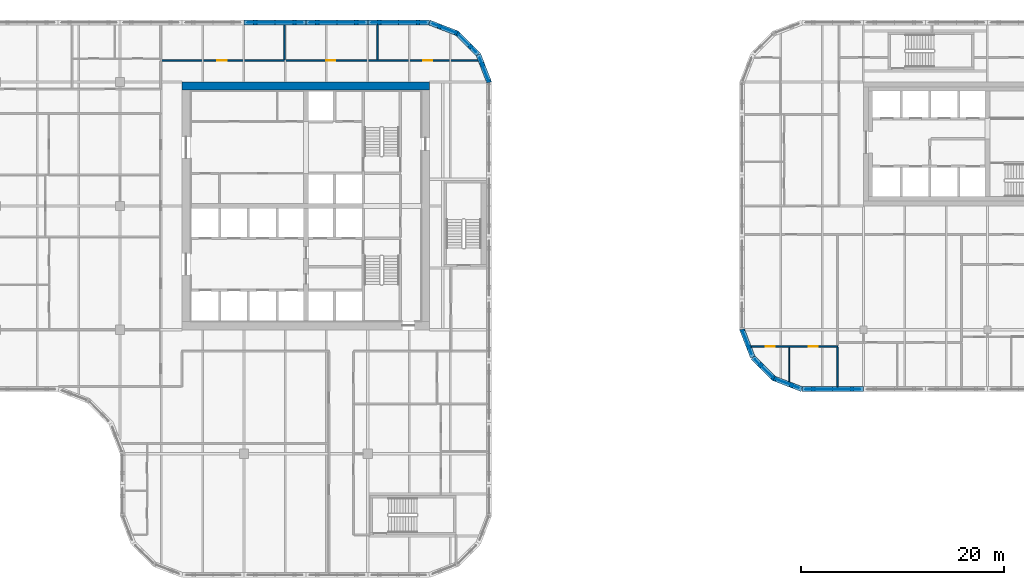
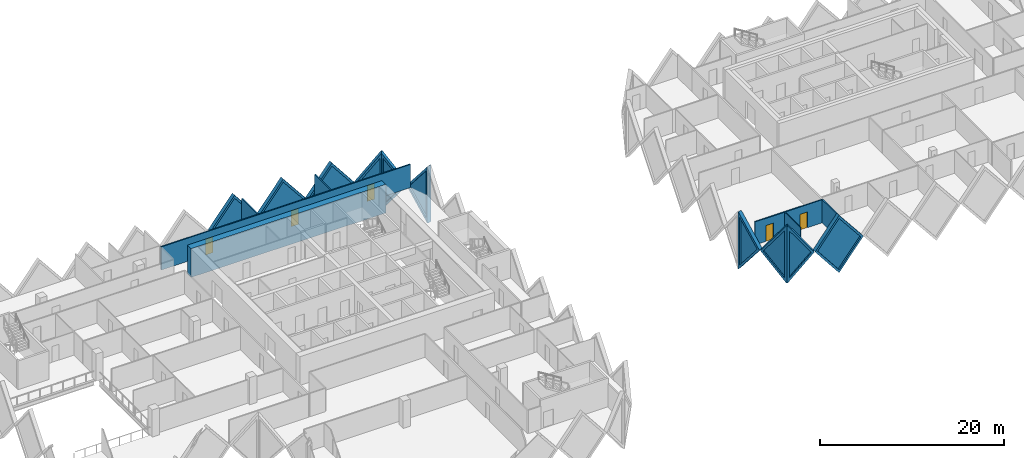
# One storey, part 11 of 19: 17 walls, 10 plates, 5 doors, 15 openings.
"""IFC4 building model written with IfcOpenShell, lengths in metres."""

from ifc_helpers import new_model, si_unit, direction, frame, frame_2d, origin, place, context, subcontext, project, spatial, polyline, rectangle, outline, extrude, faceted_brep, source, transform, mapped, material, layer, layer_set, type_object, element, fill, save


model = new_model("IFC4")

# Units and contexts
model_context = context("Model", 3, precision=1e-05, world=origin(), true_north=direction((0.0, 1.0)))
body_context = subcontext(model_context, "Body", "Model", "MODEL_VIEW")
ifc_project = project(units=[si_unit("LENGTHUNIT", "METRE"), si_unit("AREAUNIT", "SQUARE_METRE"), si_unit("VOLUMEUNIT", "CUBIC_METRE"), si_unit("PLANEANGLEUNIT", "RADIAN"), si_unit("MASSUNIT", "GRAM", prefix="KILO")], contexts=[model_context])

# Site, building, storey
site_placement = place(None, origin())
site = spatial("IfcSite", under=ifc_project, at=site_placement, CompositionType="ELEMENT")
building_placement = place(site_placement, origin())
building = spatial("IfcBuilding", under=site, at=building_placement, Name="Tessera Gate Towers", CompositionType="ELEMENT")
storey_placement = place(building_placement, frame((0.0, 0.0, 72.39990234375)))
storey = spatial("IfcBuildingStorey", under=building, at=storey_placement, Name="L17", CompositionType="ELEMENT", Elevation=72.39990234375)

# Wall
ifc_material_1 = material(Name="Concrete C60/75", Category="concrete")
ifc_layer_1 = layer(ifc_material_1, 0.800048828125)
ifc_layer_set_1 = layer_set([ifc_layer_1], Name="CORE SHEAR WALL 800 C60/75")
wall_type_1 = type_object("IfcWallType", Name="CORE SHEAR WALL 800 C60/75", PredefinedType="SHEAR", material=ifc_layer_set_1)
wall_1_placement = place(storey_placement, frame((30.5, 48.39990234375, 0.0), z_axis=(0.0, 0.0, 1.0), x_axis=(1.0, 0.0, 0.0)))
element("IfcWall", 1, at=wall_1_placement, inside=storey, type_object=wall_type_1, Name="Core wall N L17", PredefinedType="SHEAR", context=body_context, shape_type="SweptSolid", body=[
    extrude(rectangle(XDim=24.39990234375, YDim=0.800048828125, at=frame_2d((12.199951171875, 0.0))), origin(), (0.0, 0.0, 1.0), 3.800048828125),
])

# Wall, openings, doors
ifc_material_2 = material(Name="Gypsum board on steel studs, mineral wool", Category="steel")
ifc_layer_2 = layer(ifc_material_2, 0.14990234375)
ifc_layer_set_2 = layer_set([ifc_layer_2], Name="CORRIDOR WALL 150")
wall_type_2 = type_object("IfcWallType", Name="CORRIDOR WALL 150", PredefinedType="PARTITIONING", material=ifc_layer_set_2)
wall_2_placement = place(storey_placement, frame((28.39990234375, 50.89990234375, 0.0), z_axis=(0.0, 0.0, 1.0), x_axis=(1.0, 0.0, 0.0)))
wall_2 = element("IfcWall", 2, at=wall_2_placement, inside=storey, type_object=wall_type_2, Name="T1-L17-PW-046", PredefinedType="PARTITIONING", context=body_context, shape_type="SweptSolid", body=[
    extrude(rectangle(XDim=31.254150390625, YDim=0.14990234375, at=frame_2d((15.626953125, 0.0))), origin(), (0.0, 0.0, 1.0), 3.067138671875),
])
shared_shape_1 = source(origin(), body_context, "Body", "SweptSolid", [
    extrude(rectangle(XDim=0.89990234375, YDim=2.10009765625, at=frame_2d((0.449951171875, 1.050048828125))), frame((0.0, 0.0849609375, 0.0), z_axis=(0.0, -1.0, 0.0), x_axis=(1.0, 0.0, 0.0)), (0.0, 0.0, 1.0), 0.169921875),
])
opening_1_placement = place(wall_2_placement, frame((16.301025390625, 0.0, 0.0)))
opening_1 = element("IfcOpeningElement", 3, at=opening_1_placement, cuts=wall_2, Name="Opening D890FD60-A06-08", PredefinedType="OPENING", context=body_context, shape_type="MappedRepresentation", body=[
    mapped(shared_shape_1, transform((0.0, 0.0, 0.0), scale=1.0)),
])
opening_2_placement = place(wall_2_placement, frame((25.85009765625, 0.0, 0.0)))
opening_2 = element("IfcOpeningElement", 4, at=opening_2_placement, cuts=wall_2, Name="Opening D890FD60-A06-10", PredefinedType="OPENING", context=body_context, shape_type="MappedRepresentation", body=[
    mapped(shared_shape_1, transform((0.0, 0.0, 0.0), scale=1.0)),
])
opening_3_placement = place(wall_2_placement, frame((5.60009765625, 0.0, 0.0)))
opening_3 = element("IfcOpeningElement", 5, at=opening_3_placement, cuts=wall_2, Name="Opening D890FD60-A06-11", PredefinedType="OPENING", context=body_context, shape_type="MappedRepresentation", body=[
    mapped(shared_shape_1, transform((0.0, 0.0, 0.0), scale=1.0)),
])
ifc_material_3 = material(Name="Timber door leaf in steel frame", Category="steel")
door_type_1 = type_object("IfcDoorType", Name="CORRIDOR DOOR 900 FD60", OperationType="NOTDEFINED", PredefinedType="DOOR", material=ifc_material_3)
shared_shape_2 = source(origin(), body_context, "Body", "SweptSolid", [
    extrude(rectangle(XDim=0.89990234375, YDim=2.10009765625, at=frame_2d((0.449951171875, 1.050048828125))), frame((0.0, 0.02490234375, 0.0), z_axis=(0.0, -1.0, 0.0), x_axis=(1.0, 0.0, 0.0)), (0.0, 0.0, 1.0), 0.050048828125),
])
door_1_placement = place(opening_1_placement, origin())
door_1 = element("IfcDoor", 6, at=door_1_placement, inside=storey, type_object=door_type_1, Name="T1-L17-PD-023", OperationType="SINGLE_SWING_LEFT", OverallHeight=2.10009765625, OverallWidth=0.89990234375, PredefinedType="DOOR", context=body_context, shape_type="MappedRepresentation", body=[
    mapped(shared_shape_2, transform((0.0, 0.0, 0.0), scale=1.0)),
])
fill(opening_1, door_1)
door_2_placement = place(opening_2_placement, origin())
door_2 = element("IfcDoor", 7, at=door_2_placement, inside=storey, type_object=door_type_1, Name="T1-L17-PD-025", OperationType="SINGLE_SWING_LEFT", OverallHeight=2.10009765625, OverallWidth=0.89990234375, PredefinedType="DOOR", context=body_context, shape_type="MappedRepresentation", body=[
    mapped(shared_shape_2, transform((0.0, 0.0, 0.0), scale=1.0)),
])
fill(opening_2, door_2)
door_3_placement = place(opening_3_placement, origin())
door_3 = element("IfcDoor", 8, at=door_3_placement, inside=storey, type_object=door_type_1, Name="T1-L17-PD-027", OperationType="SINGLE_SWING_LEFT", OverallHeight=2.10009765625, OverallWidth=0.89990234375, PredefinedType="DOOR", context=body_context, shape_type="MappedRepresentation", body=[
    mapped(shared_shape_2, transform((0.0, 0.0, 0.0), scale=1.0)),
])
fill(opening_3, door_3)

# Walls
ifc_material_4 = material(Name="Gypsum board on steel studs", Category="steel")
ifc_layer_3 = layer(ifc_material_4, 0.10009765625)
ifc_layer_set_3 = layer_set([ifc_layer_3], Name="PARTITION 100")
wall_type_3 = type_object("IfcWallType", Name="PARTITION 100", PredefinedType="PARTITIONING", material=ifc_layer_set_3)
wall_3_placement = place(storey_placement, frame((90.320068359375, 19.291015625, 0.0), z_axis=(0.0, 0.0, 1.0), x_axis=(0.0, 1.0, 0.0)))
element("IfcWall", 9, at=wall_3_placement, inside=storey, type_object=wall_type_3, Name="T2-L17-PW-008", PredefinedType="PARTITIONING", context=body_context, shape_type="SweptSolid", body=[
    extrude(rectangle(XDim=3.407958984375, YDim=0.10009765625, at=frame_2d((1.7041015625, 0.0))), origin(), (0.0, 0.0, 1.0), 3.067138671875),
])
ifc_material_5 = material(Name="Gypsum board on steel studs, mineral wool", Category="steel")
ifc_layer_4 = layer(ifc_material_5, 0.14990234375)
ifc_layer_set_4 = layer_set([ifc_layer_4], Name="TENANCY WALL 150")
wall_type_4 = type_object("IfcWallType", Name="TENANCY WALL 150", PredefinedType="PARTITIONING", material=ifc_layer_set_4)
for number, where, z_axis, x_axis, name in (
    (10, (40.60009765625, 50.97607421875, 0.0), (0.0, 0.0, 1.0), (0.0, 1.0, 0.0), "T1-L17-PW-047"),
    (11, (49.75, 50.97607421875, 0.0), (0.0, 0.0, 1.0), (0.0, 1.0, 0.0), "T1-L17-PW-048"),
):
    element("IfcWall", number, at=place(storey_placement, frame(where, z_axis=z_axis, x_axis=x_axis)), inside=storey, type_object=wall_type_4, Name=name, PredefinedType="PARTITIONING", context=body_context, shape_type="SweptSolid", body=[
        extrude(rectangle(XDim=3.423828125, YDim=0.14990234375, at=frame_2d((1.7119140625, 0.0))), origin(), (0.0, 0.0, 1.0), 3.067138671875),
    ])
wall_4_placement = place(storey_placement, frame((95.050048828125, 18.800048828125, 0.0), z_axis=(0.0, 0.0, 1.0), x_axis=(0.0, 1.0, 0.0)))
element("IfcWall", 12, at=wall_4_placement, inside=storey, type_object=wall_type_4, Name="T2-L17-PW-001", PredefinedType="PARTITIONING", context=body_context, shape_type="SweptSolid", body=[
    extrude(rectangle(XDim=3.89892578125, YDim=0.14990234375, at=frame_2d((1.949462890625, 0.0))), origin(), (0.0, 0.0, 1.0), 3.067138671875),
])

# Wall, openings, doors
wall_5_placement = place(storey_placement, frame((95.050048828125, 22.77490234375, 0.0), z_axis=(0.0, 0.0, 1.0), x_axis=(-1.0, 0.0, 0.0)))
wall_5 = element("IfcWall", 13, at=wall_5_placement, inside=storey, type_object=wall_type_4, Name="T2-L17-PW-009", PredefinedType="PARTITIONING", context=body_context, shape_type="SweptSolid", body=[
    extrude(rectangle(XDim=8.4873046875, YDim=0.14990234375, at=frame_2d((4.24365234375, 0.0))), origin(), (0.0, 0.0, 1.0), 3.067138671875),
])
opening_4_placement = place(wall_5_placement, frame((6.187255859375, 0.0, 0.0)))
opening_4 = element("IfcOpeningElement", 14, at=opening_4_placement, cuts=wall_5, Name="Opening D190-B07-01", PredefinedType="OPENING", context=body_context, shape_type="MappedRepresentation", body=[
    mapped(shared_shape_1, transform((0.0, 0.0, 0.0), scale=1.0)),
])
opening_5_placement = place(wall_5_placement, frame((1.9296875, 0.0, 0.0)))
opening_5 = element("IfcOpeningElement", 15, at=opening_5_placement, cuts=wall_5, Name="Opening D190-B07-04", PredefinedType="OPENING", context=body_context, shape_type="MappedRepresentation", body=[
    mapped(shared_shape_1, transform((0.0, 0.0, 0.0), scale=1.0)),
])
ifc_material_6 = material(Name="Timber door leaf in steel frame", Category="steel")
door_type_2 = type_object("IfcDoorType", Name="INTERNAL DOOR 900 NOT RATED", OperationType="NOTDEFINED", PredefinedType="DOOR", material=ifc_material_6)
door_4_placement = place(opening_4_placement, origin())
door_4 = element("IfcDoor", 16, at=door_4_placement, inside=storey, type_object=door_type_2, Name="T2-L17-PD-001", OperationType="SINGLE_SWING_RIGHT", OverallHeight=2.10009765625, OverallWidth=0.89990234375, PredefinedType="DOOR", context=body_context, shape_type="MappedRepresentation", body=[
    mapped(shared_shape_2, transform((0.0, 0.0, 0.0), scale=1.0)),
])
fill(opening_4, door_4)
door_5_placement = place(opening_5_placement, origin())
door_5 = element("IfcDoor", 17, at=door_5_placement, inside=storey, type_object=door_type_2, Name="T2-L17-PD-007", OperationType="SINGLE_SWING_RIGHT", OverallHeight=2.10009765625, OverallWidth=0.89990234375, PredefinedType="DOOR", context=body_context, shape_type="MappedRepresentation", body=[
    mapped(shared_shape_2, transform((0.0, 0.0, 0.0), scale=1.0)),
])
fill(opening_5, door_5)

# Wall, opening, plate
ifc_material_7 = material(Name="Precast concrete C60/75 white", Category="concrete")
ifc_layer_5 = layer(ifc_material_7, 0.5)
ifc_layer_set_5 = layer_set([ifc_layer_5], Name="TS1 tessera")
wall_type_5 = type_object("IfcWallType", Name="TS1 tessera", PredefinedType="SOLIDWALL", material=ifc_layer_set_5)
shared_shape_3 = source(origin(), body_context, "Body", "Brep", [
    faceted_brep([(3.050048828125, -0.25, 0.0), (6.099853515625, -0.25, 3.799560546875), (6.099853515625, -0.25, 3.800048828125), (3.050048828125, -0.25, 7.599853515625), (0.0, -0.25, 3.7998046875), (0.0, 0.25, 3.7998046875), (3.050048828125, 0.25, 7.599853515625), (6.099853515625, 0.25, 3.800048828125), (6.099853515625, 0.25, 3.799560546875), (3.050048828125, 0.25, 0.0)], [[[0, 1, 2, 3, 4]], [[5, 6, 7, 8, 9]], [[9, 8, 1, 0]], [[7, 6, 3, 2]], [[6, 5, 4, 3]], [[5, 9, 0, 4]], [[1, 8, 7, 2]]]),
])
wall_6_placement = place(storey_placement, frame((42.699951171875, 54.64990234375, -3.7998046875), z_axis=(0.0, 0.0, 1.0), x_axis=(-1.0, 0.0, 0.0)))
wall_6 = element("IfcWall", 18, at=wall_6_placement, inside=storey, type_object=wall_type_5, Name="Precast tessera T1 TS1-0242", PredefinedType="SOLIDWALL", context=body_context, shape_type="MappedRepresentation", body=[
    mapped(shared_shape_3, transform((0.0, 0.0, 0.0), scale=1.0)),
])
shared_shape_4 = source(origin(), body_context, "Body", "SweptSolid", [
    extrude(outline(polyline([(3.050048828125, 0.3994140625), (5.779541015625, 3.7998046875), (3.050048828125, 7.200439453125), (0.320556640625, 3.7998046875), (3.050048828125, 0.3994140625)])), frame((0.0, 0.260009765625, 0.0), z_axis=(0.0, -1.0, 0.0), x_axis=(1.0, 0.0, 0.0)), (0.0, 0.0, 1.0), 0.52001953125),
])
opening_6_placement = place(wall_6_placement, origin())
opening_6 = element("IfcOpeningElement", 19, at=opening_6_placement, cuts=wall_6, Name="Opening T1-PL2-0490", PredefinedType="OPENING", context=body_context, shape_type="MappedRepresentation", body=[
    mapped(shared_shape_4, transform((0.0, 0.0, 0.0), scale=1.0)),
])
ifc_material_8 = material(Name="Low-e laminated glass", Category="glass")
ifc_layer_6 = layer(ifc_material_8, 0.06005859375)
ifc_layer_set_6 = layer_set([ifc_layer_6], Name="PL2 rhombic pane")
plate_type = type_object("IfcPlateType", Name="PL2 rhombic pane", PredefinedType="SHEET", material=ifc_layer_set_6)
shared_shape_5 = source(origin(), body_context, "Body", "SweptSolid", [
    extrude(outline(polyline([(3.050048828125, 0.3994140625), (5.779541015625, 3.7998046875), (3.050048828125, 7.200439453125), (0.320556640625, 3.7998046875), (3.050048828125, 0.3994140625)])), frame((0.0, 0.030029296875, 0.0), z_axis=(0.0, -1.0, 0.0), x_axis=(1.0, 0.0, 0.0)), (0.0, 0.0, 1.0), 0.06005859375),
])
plate_1_placement = place(opening_6_placement, origin())
plate_1 = element("IfcPlate", 20, at=plate_1_placement, inside=storey, type_object=plate_type, Name="Glass pane T1 PL2-0490", PredefinedType="SHEET", context=body_context, shape_type="MappedRepresentation", body=[
    mapped(shared_shape_5, transform((0.0, 0.0, 0.0), scale=1.0)),
])
fill(opening_6, plate_1)

shared_shape_6 = source(origin(), body_context, "Body", "SweptSolid", [
    extrude(outline(polyline([(3.050048828125, 0.0), (6.10009765625, 3.7998046875), (3.050048828125, 7.599853515625), (0.0, 3.7998046875), (3.050048828125, 0.0)])), frame((0.0, 0.25, 0.0), z_axis=(0.0, -1.0, 0.0), x_axis=(1.0, 0.0, 0.0)), (0.0, 0.0, 1.0), 0.5),
])
wall_7_placement = place(storey_placement, frame((48.800048828125, 54.64990234375, -3.7998046875), z_axis=(0.0, 0.0, 1.0), x_axis=(-1.0, 0.0, 0.0)))
wall_7 = element("IfcWall", 21, at=wall_7_placement, inside=storey, type_object=wall_type_5, Name="Precast tessera T1 TS1-0241", PredefinedType="SOLIDWALL", context=body_context, shape_type="MappedRepresentation", body=[
    mapped(shared_shape_6, transform((0.0, 0.0, 0.0), scale=1.0)),
])
opening_7_placement = place(wall_7_placement, origin())
opening_7 = element("IfcOpeningElement", 22, at=opening_7_placement, cuts=wall_7, Name="Opening T1-PL2-0489", PredefinedType="OPENING", context=body_context, shape_type="MappedRepresentation", body=[
    mapped(shared_shape_4, transform((0.0, 0.0, 0.0), scale=1.0)),
])
plate_2_placement = place(opening_7_placement, origin())
plate_2 = element("IfcPlate", 23, at=plate_2_placement, inside=storey, type_object=plate_type, Name="Glass pane T1 PL2-0489", PredefinedType="SHEET", context=body_context, shape_type="MappedRepresentation", body=[
    mapped(shared_shape_5, transform((0.0, 0.0, 0.0), scale=1.0)),
])
fill(opening_7, plate_2)

ifc_material_9 = material(Name="Precast concrete C60/75 white", Category="concrete")
ifc_layer_7 = layer(ifc_material_9, 0.5)
ifc_layer_set_7 = layer_set([ifc_layer_7], Name="TS3 corner tessera")
wall_type_6 = type_object("IfcWallType", Name="TS3 corner tessera", PredefinedType="SOLIDWALL", material=ifc_layer_set_7)
shared_shape_7 = source(origin(), body_context, "Body", "Brep", [
    faceted_brep([(0.046630859375, -0.25, 0.0), (2.9970703125, -0.25, 3.7998046875), (0.046630859375, -0.25, 7.599853515625), (0.0, -0.25, 7.541015625), (0.0, -0.25, 0.058837890625), (0.09326171875, 0.25, 7.539794921875), (2.9443359375, 0.25, 3.867919921875), (2.9443359375, 0.25, 3.731689453125), (0.09326171875, 0.25, 0.06005859375), (2.9970703125, 0.00048828125, 3.7998046875), (0.046630859375, 0.0, 0.0), (0.046630859375, 0.0, 7.599853515625)], [[[0, 1, 2, 3, 4]], [[5, 6, 7, 8]], [[8, 7, 9, 1, 0, 10]], [[6, 5, 11, 2, 1, 9]], [[3, 2, 11]], [[10, 0, 4]], [[8, 10, 4, 3, 11, 5]], [[9, 7, 6]]]),
])
wall_8_placement = place(storey_placement, frame((60.766845703125, 48.7099609375, -3.7998046875), z_axis=(0.0, 0.0, 1.0), x_axis=(-0.359901446078, 0.932990326376, 0.0)))
wall_8 = element("IfcWall", 24, at=wall_8_placement, inside=storey, type_object=wall_type_6, Name="Precast corner tessera T1 TS3-0366", PredefinedType="SOLIDWALL", context=body_context, shape_type="MappedRepresentation", body=[
    mapped(shared_shape_7, transform((0.0, 0.0, 0.0), scale=1.0)),
])
shared_shape_8 = source(origin(), body_context, "Body", "SweptSolid", [
    extrude(outline(polyline([(0.24658203125, 0.6650390625), (2.6806640625, 3.7998046875), (0.24658203125, 6.9345703125), (0.24658203125, 0.6650390625)])), frame((0.0, 0.260009765625, 0.0), z_axis=(0.0, -1.0, 0.0), x_axis=(1.0, 0.0, 0.0)), (0.0, 0.0, 1.0), 0.52001953125),
])
opening_8_placement = place(wall_8_placement, origin())
opening_8 = element("IfcOpeningElement", 25, at=opening_8_placement, cuts=wall_8, Name="Opening T1-PL2-0485", PredefinedType="OPENING", context=body_context, shape_type="MappedRepresentation", body=[
    mapped(shared_shape_8, transform((0.0, 0.0, 0.0), scale=1.0)),
])
shared_shape_9 = source(origin(), body_context, "Body", "SweptSolid", [
    extrude(outline(polyline([(0.24658203125, 0.6650390625), (2.6806640625, 3.7998046875), (0.24658203125, 6.9345703125), (0.24658203125, 0.6650390625)])), frame((0.0, 0.030029296875, 0.0), z_axis=(0.0, -1.0, 0.0), x_axis=(1.0, 0.0, 0.0)), (0.0, 0.0, 1.0), 0.06005859375),
])
plate_3_placement = place(opening_8_placement, origin())
plate_3 = element("IfcPlate", 26, at=plate_3_placement, inside=storey, type_object=plate_type, Name="Glass pane T1 PL2-0485", PredefinedType="SHEET", context=body_context, shape_type="MappedRepresentation", body=[
    mapped(shared_shape_9, transform((0.0, 0.0, 0.0), scale=1.0)),
])
fill(opening_8, plate_3)

wall_9_placement = place(storey_placement, frame((85.63330078125, 24.489990234375, -3.7998046875), z_axis=(0.0, 0.0, 1.0), x_axis=(0.359901446078, -0.932990326376, 0.0)))
wall_9 = element("IfcWall", 27, at=wall_9_placement, inside=storey, type_object=wall_type_6, Name="Precast corner tessera T2 TS3-0254", PredefinedType="SOLIDWALL", context=body_context, shape_type="MappedRepresentation", body=[
    mapped(shared_shape_7, transform((0.0, 0.0, 0.0), scale=1.0)),
])
opening_9_placement = place(wall_9_placement, origin())
opening_9 = element("IfcOpeningElement", 28, at=opening_9_placement, cuts=wall_9, Name="Opening T2-PL2-0371", PredefinedType="OPENING", context=body_context, shape_type="MappedRepresentation", body=[
    mapped(shared_shape_8, transform((0.0, 0.0, 0.0), scale=1.0)),
])
plate_4_placement = place(opening_9_placement, origin())
plate_4 = element("IfcPlate", 29, at=plate_4_placement, inside=storey, type_object=plate_type, Name="Glass pane T2 PL2-0371", PredefinedType="SHEET", context=body_context, shape_type="MappedRepresentation", body=[
    mapped(shared_shape_9, transform((0.0, 0.0, 0.0), scale=1.0)),
])
fill(opening_9, plate_4)

shared_shape_10 = source(origin(), body_context, "Body", "Brep", [
    faceted_brep([(2.944091796875, -0.25, 0.0), (2.9970703125, -0.25, 0.068115234375), (2.9970703125, -0.25, 7.53173828125), (2.944091796875, -0.25, 7.599853515625), (0.0, -0.25, 3.7998046875), (0.052978515625, 0.25, 3.8681640625), (2.89111328125, 0.25, 7.53173828125), (2.89111328125, 0.25, 0.068115234375), (0.052978515625, 0.25, 3.7314453125), (2.944091796875, 0.000244140625, 0.0), (2.944091796875, 0.000244140625, 7.599853515625), (0.0, 0.0, 3.7998046875)], [[[0, 1, 2, 3, 4]], [[5, 6, 7, 8]], [[1, 0, 9]], [[10, 3, 2]], [[6, 5, 11, 4, 3, 10]], [[8, 7, 9, 0, 4, 11]], [[8, 11, 5]], [[1, 9, 7, 6, 10, 2]]]),
])
wall_10_placement = place(storey_placement, frame((86.7119140625, 21.69384765625, -3.7998046875), z_axis=(0.0, 0.0, 1.0), x_axis=(0.707066050402, -0.707147509625, 0.0)))
wall_10 = element("IfcWall", 30, at=wall_10_placement, inside=storey, type_object=wall_type_6, Name="Precast corner tessera T2 TS3-0255", PredefinedType="SOLIDWALL", context=body_context, shape_type="MappedRepresentation", body=[
    mapped(shared_shape_10, transform((0.0, 0.0, 0.0), scale=1.0)),
])
shared_shape_11 = source(origin(), body_context, "Body", "SweptSolid", [
    extrude(outline(polyline([(2.744140625, 6.93359375), (0.316162109375, 3.7998046875), (2.744140625, 0.666259765625), (2.744140625, 6.93359375)])), frame((0.0, 0.260009765625, 0.0), z_axis=(0.0, -1.0, 0.0), x_axis=(1.0, 0.0, 0.0)), (0.0, 0.0, 1.0), 0.52001953125),
])
opening_10_placement = place(wall_10_placement, origin())
opening_10 = element("IfcOpeningElement", 31, at=opening_10_placement, cuts=wall_10, Name="Opening T2-PL2-0372", PredefinedType="OPENING", context=body_context, shape_type="MappedRepresentation", body=[
    mapped(shared_shape_11, transform((0.0, 0.0, 0.0), scale=1.0)),
])
shared_shape_12 = source(origin(), body_context, "Body", "SweptSolid", [
    extrude(outline(polyline([(2.744140625, 6.93359375), (0.316162109375, 3.7998046875), (2.744140625, 0.666259765625), (2.744140625, 6.93359375)])), frame((0.0, 0.030029296875, 0.0), z_axis=(0.0, -1.0, 0.0), x_axis=(1.0, 0.0, 0.0)), (0.0, 0.0, 1.0), 0.06005859375),
])
plate_5_placement = place(opening_10_placement, origin())
plate_5 = element("IfcPlate", 32, at=plate_5_placement, inside=storey, type_object=plate_type, Name="Glass pane T2 PL2-0372", PredefinedType="SHEET", context=body_context, shape_type="MappedRepresentation", body=[
    mapped(shared_shape_12, transform((0.0, 0.0, 0.0), scale=1.0)),
])
fill(opening_10, plate_5)

shared_shape_13 = source(origin(), body_context, "Body", "Brep", [
    faceted_brep([(3.00341796875, -0.25, 0.0), (6.053466796875, -0.25, 3.7998046875), (3.00341796875, -0.25, 7.599853515625), (0.0, -0.25, 3.7998046875), (0.046630859375, 0.25, 3.858642578125), (3.00341796875, 0.25, 7.599853515625), (6.053466796875, 0.25, 3.7998046875), (3.00341796875, 0.25, 0.0), (0.046630859375, 0.25, 3.740966796875), (0.0, 0.0, 3.7998046875)], [[[0, 1, 2, 3]], [[4, 5, 6, 7, 8]], [[7, 6, 1, 0]], [[6, 5, 2, 1]], [[5, 4, 9, 3, 2]], [[8, 7, 0, 3, 9]], [[8, 9, 4]]]),
])
wall_11_placement = place(storey_placement, frame((54.853515625, 54.64990234375, -3.7998046875), z_axis=(0.0, 0.0, 1.0), x_axis=(-1.0, 0.0, 0.0)))
wall_11 = element("IfcWall", 33, at=wall_11_placement, inside=storey, type_object=wall_type_5, Name="Precast tessera T1 TS1-0240", PredefinedType="SOLIDWALL", context=body_context, shape_type="MappedRepresentation", body=[
    mapped(shared_shape_13, transform((0.0, 0.0, 0.0), scale=1.0)),
])
shared_shape_14 = source(origin(), body_context, "Body", "SweptSolid", [
    extrude(outline(polyline([(3.0048828125, 0.401123046875), (5.73291015625, 3.7998046875), (3.0048828125, 7.19873046875), (0.318603515625, 3.7998046875), (3.0048828125, 0.401123046875)])), frame((0.0, 0.260009765625, 0.0), z_axis=(0.0, -1.0, 0.0), x_axis=(1.0, 0.0, 0.0)), (0.0, 0.0, 1.0), 0.52001953125),
])
opening_11_placement = place(wall_11_placement, origin())
opening_11 = element("IfcOpeningElement", 34, at=opening_11_placement, cuts=wall_11, Name="Opening T1-PL2-0488", PredefinedType="OPENING", context=body_context, shape_type="MappedRepresentation", body=[
    mapped(shared_shape_14, transform((0.0, 0.0, 0.0), scale=1.0)),
])
shared_shape_15 = source(origin(), body_context, "Body", "SweptSolid", [
    extrude(outline(polyline([(3.0048828125, 0.401123046875), (5.73291015625, 3.7998046875), (3.0048828125, 7.19873046875), (0.318603515625, 3.7998046875), (3.0048828125, 0.401123046875)])), frame((0.0, 0.030029296875, 0.0), z_axis=(0.0, -1.0, 0.0), x_axis=(1.0, 0.0, 0.0)), (0.0, 0.0, 1.0), 0.06005859375),
])
plate_6_placement = place(opening_11_placement, origin())
plate_6 = element("IfcPlate", 35, at=plate_6_placement, inside=storey, type_object=plate_type, Name="Glass pane T1 PL2-0488", PredefinedType="SHEET", context=body_context, shape_type="MappedRepresentation", body=[
    mapped(shared_shape_15, transform((0.0, 0.0, 0.0), scale=1.0)),
])
fill(opening_11, plate_6)

wall_12_placement = place(storey_placement, frame((91.546630859375, 18.550048828125, -3.7998046875), z_axis=(0.0, 0.0, 1.0), x_axis=(1.0, 0.0, 0.0)))
wall_12 = element("IfcWall", 36, at=wall_12_placement, inside=storey, type_object=wall_type_5, Name="Precast tessera T2 TS1-0180", PredefinedType="SOLIDWALL", context=body_context, shape_type="MappedRepresentation", body=[
    mapped(shared_shape_13, transform((0.0, 0.0, 0.0), scale=1.0)),
])
opening_12_placement = place(wall_12_placement, origin())
opening_12 = element("IfcOpeningElement", 37, at=opening_12_placement, cuts=wall_12, Name="Opening T2-PL2-0340", PredefinedType="OPENING", context=body_context, shape_type="MappedRepresentation", body=[
    mapped(shared_shape_14, transform((0.0, 0.0, 0.0), scale=1.0)),
])
plate_7_placement = place(opening_12_placement, origin())
plate_7 = element("IfcPlate", 38, at=plate_7_placement, inside=storey, type_object=plate_type, Name="Glass pane T2 PL2-0340", PredefinedType="SHEET", context=body_context, shape_type="MappedRepresentation", body=[
    mapped(shared_shape_15, transform((0.0, 0.0, 0.0), scale=1.0)),
])
fill(opening_12, plate_7)

shared_shape_16 = source(origin(), body_context, "Body", "Brep", [
    faceted_brep([(2.944091796875, -0.25, 0.0), (2.9970703125, -0.25, 0.068115234375), (2.9970703125, -0.25, 7.53173828125), (2.944091796875, -0.25, 7.599853515625), (0.0, -0.25, 3.7998046875), (0.052978515625, 0.25, 3.8681640625), (2.89111328125, 0.25, 7.53173828125), (2.89111328125, 0.25, 0.068115234375), (0.052978515625, 0.25, 3.7314453125), (2.944091796875, 0.000244140625, 0.0), (2.944091796875, 0.000244140625, 7.599853515625), (0.0, 0.0, 3.7998046875)], [[[0, 1, 2, 3, 4]], [[5, 6, 7, 8]], [[1, 0, 9]], [[10, 3, 2]], [[6, 5, 11, 4, 3, 10]], [[8, 7, 9, 0, 4, 11]], [[8, 11, 5]], [[1, 9, 7, 6, 10, 2]]]),
])
wall_13_placement = place(storey_placement, frame((59.68798828125, 51.50634765625, -3.7998046875), z_axis=(0.0, 0.0, 1.0), x_axis=(-0.707106781187, 0.707106781187, 0.0)))
wall_13 = element("IfcWall", 39, at=wall_13_placement, inside=storey, type_object=wall_type_6, Name="Precast corner tessera T1 TS3-0367", PredefinedType="SOLIDWALL", context=body_context, shape_type="MappedRepresentation", body=[
    mapped(shared_shape_16, transform((0.0, 0.0, 0.0), scale=1.0)),
])
opening_13_placement = place(wall_13_placement, origin())
opening_13 = element("IfcOpeningElement", 40, at=opening_13_placement, cuts=wall_13, Name="Opening T1-PL2-0486", PredefinedType="OPENING", context=body_context, shape_type="MappedRepresentation", body=[
    mapped(shared_shape_11, transform((0.0, 0.0, 0.0), scale=1.0)),
])
plate_8_placement = place(opening_13_placement, origin())
plate_8 = element("IfcPlate", 41, at=plate_8_placement, inside=storey, type_object=plate_type, Name="Glass pane T1 PL2-0486", PredefinedType="SHEET", context=body_context, shape_type="MappedRepresentation", body=[
    mapped(shared_shape_12, transform((0.0, 0.0, 0.0), scale=1.0)),
])
fill(opening_13, plate_8)

shared_shape_17 = source(origin(), body_context, "Body", "Brep", [
    faceted_brep([(0.052978515625, -0.25, 0.0), (3.00341796875, -0.25, 3.7998046875), (0.052978515625, -0.25, 7.599853515625), (0.0, -0.25, 7.531494140625), (0.0, -0.25, 0.068359375), (0.10595703125, 0.25, 7.53173828125), (2.95703125, 0.25, 3.859619140625), (2.95703125, 0.25, 3.739990234375), (0.10595703125, 0.25, 0.068115234375), (3.00341796875, 0.00048828125, 3.7998046875), (0.052978515625, 0.0, 0.0), (0.052978515625, 0.0, 7.599853515625)], [[[0, 1, 2, 3, 4]], [[5, 6, 7, 8]], [[8, 7, 9, 1, 0, 10]], [[6, 5, 11, 2, 1, 9]], [[3, 2, 11]], [[10, 0, 4]], [[8, 10, 4, 3, 11, 5]], [[9, 7, 6]]]),
])
wall_14_placement = place(storey_placement, frame((57.65576171875, 53.569091796875, -3.7998046875), z_axis=(0.0, 0.0, 1.0), x_axis=(-0.933007896601, 0.359855894603, 0.0)))
wall_14 = element("IfcWall", 42, at=wall_14_placement, inside=storey, type_object=wall_type_6, Name="Precast corner tessera T1 TS3-0368", PredefinedType="SOLIDWALL", context=body_context, shape_type="MappedRepresentation", body=[
    mapped(shared_shape_17, transform((0.0, 0.0, 0.0), scale=1.0)),
])
shared_shape_18 = source(origin(), body_context, "Body", "SweptSolid", [
    extrude(outline(polyline([(0.2529296875, 0.6650390625), (2.68701171875, 3.7998046875), (0.2529296875, 6.9345703125), (0.2529296875, 0.6650390625)])), frame((0.0, 0.260009765625, 0.0), z_axis=(0.0, -1.0, 0.0), x_axis=(1.0, 0.0, 0.0)), (0.0, 0.0, 1.0), 0.52001953125),
])
opening_14_placement = place(wall_14_placement, origin())
opening_14 = element("IfcOpeningElement", 43, at=opening_14_placement, cuts=wall_14, Name="Opening T1-PL2-0487", PredefinedType="OPENING", context=body_context, shape_type="MappedRepresentation", body=[
    mapped(shared_shape_18, transform((0.0, 0.0, 0.0), scale=1.0)),
])
shared_shape_19 = source(origin(), body_context, "Body", "SweptSolid", [
    extrude(outline(polyline([(0.2529296875, 0.6650390625), (2.68701171875, 3.7998046875), (0.2529296875, 6.9345703125), (0.2529296875, 0.6650390625)])), frame((0.0, 0.030029296875, 0.0), z_axis=(0.0, -1.0, 0.0), x_axis=(1.0, 0.0, 0.0)), (0.0, 0.0, 1.0), 0.06005859375),
])
plate_9_placement = place(opening_14_placement, origin())
plate_9 = element("IfcPlate", 44, at=plate_9_placement, inside=storey, type_object=plate_type, Name="Glass pane T1 PL2-0487", PredefinedType="SHEET", context=body_context, shape_type="MappedRepresentation", body=[
    mapped(shared_shape_19, transform((0.0, 0.0, 0.0), scale=1.0)),
])
fill(opening_14, plate_9)

shared_shape_20 = source(origin(), body_context, "Body", "Brep", [
    faceted_brep([(0.052978515625, -0.25, 0.0), (3.00341796875, -0.25, 3.7998046875), (0.052978515625, -0.25, 7.599853515625), (0.0, -0.25, 7.531494140625), (0.0, -0.25, 0.068359375), (0.10595703125, 0.25, 7.53173828125), (2.95703125, 0.25, 3.859619140625), (2.95703125, 0.25, 3.739990234375), (0.10595703125, 0.25, 0.068115234375), (3.00341796875, 0.00048828125, 3.7998046875), (0.052978515625, 0.0, 0.0), (0.052978515625, 0.0, 7.599853515625)], [[[0, 1, 2, 3, 4]], [[5, 6, 7, 8]], [[8, 7, 9, 1, 0, 10]], [[6, 5, 11, 2, 1, 9]], [[3, 2, 11]], [[10, 0, 4]], [[8, 10, 4, 3, 11, 5]], [[9, 7, 6]]]),
])
wall_15_placement = place(storey_placement, frame((88.744384765625, 19.630859375, -3.7998046875), z_axis=(0.0, 0.0, 1.0), x_axis=(0.932997369089, -0.359883188373, 0.0)))
wall_15 = element("IfcWall", 45, at=wall_15_placement, inside=storey, type_object=wall_type_6, Name="Precast corner tessera T2 TS3-0256", PredefinedType="SOLIDWALL", context=body_context, shape_type="MappedRepresentation", body=[
    mapped(shared_shape_20, transform((0.0, 0.0, 0.0), scale=1.0)),
])
opening_15_placement = place(wall_15_placement, origin())
opening_15 = element("IfcOpeningElement", 46, at=opening_15_placement, cuts=wall_15, Name="Opening T2-PL2-0373", PredefinedType="OPENING", context=body_context, shape_type="MappedRepresentation", body=[
    mapped(shared_shape_18, transform((0.0, 0.0, 0.0), scale=1.0)),
])
plate_10_placement = place(opening_15_placement, origin())
plate_10 = element("IfcPlate", 47, at=plate_10_placement, inside=storey, type_object=plate_type, Name="Glass pane T2 PL2-0373", PredefinedType="SHEET", context=body_context, shape_type="MappedRepresentation", body=[
    mapped(shared_shape_19, transform((0.0, 0.0, 0.0), scale=1.0)),
])
fill(opening_15, plate_10)

save(model, "model.ifc")
